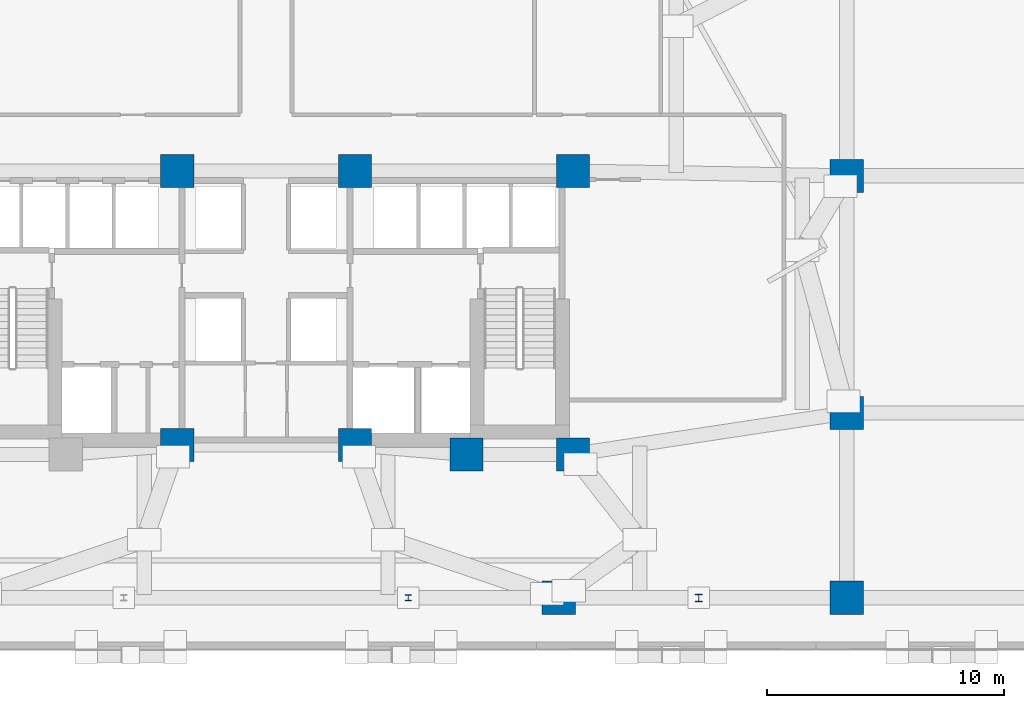
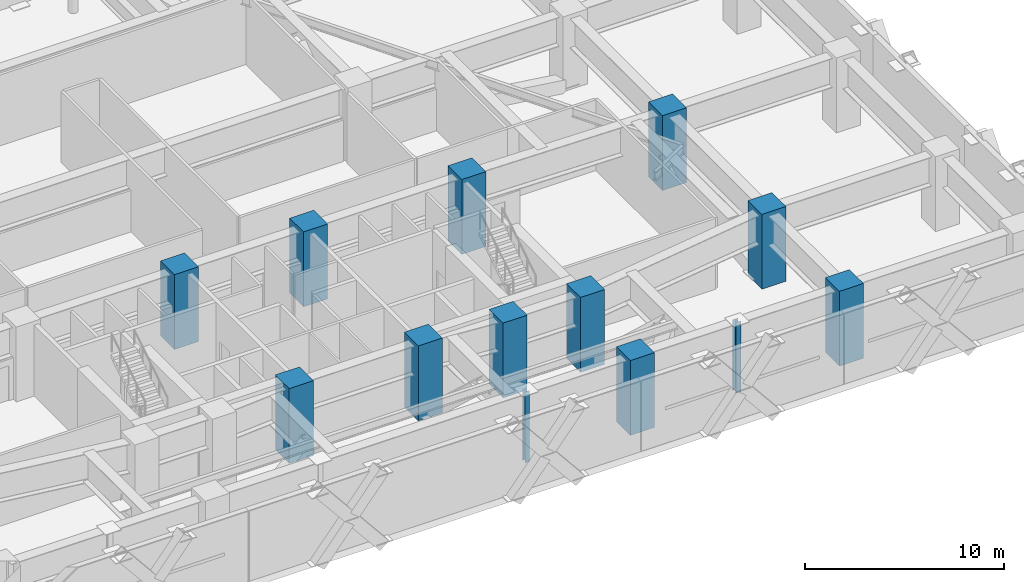
# One storey, part 3 of 14: 13 columns.
"""IFC4 building model written with IfcOpenShell, lengths in metres."""

from ifc_helpers import new_model, si_unit, direction, frame, origin, origin_2d, place, context, subcontext, project, spatial, rectangle, i_section, extrude, material, material_profile, profile_set, type_object, element, save


model = new_model("IFC4")

# Units and contexts
model_context = context("Model", 3, precision=1e-05, world=origin(), true_north=direction((0.0, 1.0)))
body_context = subcontext(model_context, "Body", "Model", "MODEL_VIEW")
ifc_project = project(units=[si_unit("LENGTHUNIT", "METRE"), si_unit("AREAUNIT", "SQUARE_METRE"), si_unit("VOLUMEUNIT", "CUBIC_METRE"), si_unit("PLANEANGLEUNIT", "RADIAN"), si_unit("MASSUNIT", "GRAM", prefix="KILO")], contexts=[model_context])

# Site, building, storey
site_placement = place(None, origin())
site = spatial("IfcSite", under=ifc_project, at=site_placement, CompositionType="ELEMENT")
building_placement = place(site_placement, origin())
building = spatial("IfcBuilding", under=site, at=building_placement, Name="Quenlor Broadcast Tower", CompositionType="ELEMENT")
storey_placement = place(building_placement, frame((0.0, 0.0, 23.0)))
storey = spatial("IfcBuildingStorey", under=building, at=storey_placement, Name="L05", CompositionType="ELEMENT", Elevation=23.0)

# Columns
ifc_material_1 = material(Name="Concrete C65/80", Category="concrete")
ifc_material_profile_1 = material_profile(ifc_material_1, rectangle(XDim=1.39990234375, YDim=1.39990234375, at=origin_2d()))
ifc_profile_set_1 = profile_set([ifc_material_profile_1], Name="Concrete C65/80 RC1400x1400")
column_type_1 = type_object("IfcColumnType", Name="Core Corner Column Lower Concrete C65/80 1400", PredefinedType="COLUMN", material=ifc_profile_set_1)
for number, where, z_axis, x_axis, name in (
    (1, (-3.75, -16.35009765625, 0.0), (0.0, 0.0, 1.0), (1.0, 0.0, 0.0), "L05 Core Column CC3"),
    (2, (3.75, -16.35009765625, 0.0), (0.0, 0.0, 1.0), (1.0, 0.0, 0.0), "L05 Core Column CC4"),
    (3, (8.449951171875, -16.75, 0.0), (0.0, 0.0, 1.0), (1.0, 0.0, 0.0), "L05 Core Column CC5"),
    (4, (12.949951171875, -16.75, 0.0), (0.0, 0.0, 1.0), (1.0, 0.0, 0.0), "L05 Core Column CC6"),
    (5, (-3.75, -4.800048828125, 0.0), (0.0, 0.0, 1.0), (1.0, 0.0, 0.0), "L05 Core Column CC8"),
    (6, (3.75, -4.800048828125, 0.0), (0.0, 0.0, 1.0), (1.0, 0.0, 0.0), "L05 Core Column CC9"),
    (7, (12.949951171875, -4.800048828125, 0.0), (0.0, 0.0, 1.0), (1.0, 0.0, 0.0), "L05 Core Column CC10"),
):
    element("IfcColumn", number, at=place(storey_placement, frame(where, z_axis=z_axis, x_axis=x_axis)), inside=storey, type_object=column_type_1, Name=name, PredefinedType="COLUMN", context=body_context, shape_type="SweptSolid", body=[
        extrude(rectangle(XDim=1.39990234375, YDim=1.39990234375, at=origin_2d()), origin(), (0.0, 0.0, 1.0), 4.60009765625),
    ])
ifc_material_2 = material(Name="Steel S355", Category="steel")
ifc_material_profile_2 = material_profile(ifc_material_2, i_section(OverallWidth=0.30908203125, OverallDepth=0.320556640625, WebThickness=0.013916015625, FlangeThickness=0.021728515625, FilletRadius=0.0166015625, at=origin_2d()))
ifc_profile_set_2 = profile_set([ifc_material_profile_2], Name="Steel S355 310UC137")
column_type_2 = type_object("IfcColumnType", Name="Podium Canopy Post Steel S355 310UC137", PredefinedType="COLUMN", material=ifc_profile_set_2)
column_1_placement = place(storey_placement, frame((18.25, -22.800048828125, 0.0), z_axis=(0.0, 0.0, 1.0), x_axis=(1.0, 0.0, 0.0)))
element("IfcColumn", 8, at=column_1_placement, inside=storey, type_object=column_type_2, Name="L05 Station Steel Column SPE1", PredefinedType="COLUMN", context=body_context, shape_type="SweptSolid", body=[
    extrude(i_section(OverallWidth=0.30908203125, OverallDepth=0.320556640625, WebThickness=0.013916015625, FlangeThickness=0.021728515625, FilletRadius=0.0166015625, at=origin_2d()), origin(), (0.0, 0.0, 1.0), 4.340087890625),
])
ifc_material_3 = material(Name="Steel S355", Category="steel")
ifc_material_profile_3 = material_profile(ifc_material_3, i_section(OverallWidth=0.256103515625, OverallDepth=0.260009765625, WebThickness=0.010498046875, FlangeThickness=0.017333984375, FilletRadius=0.013916015625, at=origin_2d()))
ifc_profile_set_3 = profile_set([ifc_material_profile_3], Name="Steel S355 250UC89.5")
column_type_3 = type_object("IfcColumnType", Name="Podium Gallery Post Steel S355 250UC89.5", PredefinedType="COLUMN", material=ifc_profile_set_3)
column_2_placement = place(storey_placement, frame((6.0, -22.800048828125, 0.0), z_axis=(0.0, 0.0, 1.0), x_axis=(1.0, 0.0, 0.0)))
element("IfcColumn", 9, at=column_2_placement, inside=storey, type_object=column_type_3, Name="L05 Station Steel Column SPE2", PredefinedType="COLUMN", context=body_context, shape_type="SweptSolid", body=[
    extrude(i_section(OverallWidth=0.256103515625, OverallDepth=0.260009765625, WebThickness=0.010498046875, FlangeThickness=0.017333984375, FilletRadius=0.013916015625, at=origin_2d()), origin(), (0.0, 0.0, 1.0), 4.340087890625),
])
ifc_material_4 = material(Name="Concrete C65/80", Category="concrete")
ifc_material_profile_4 = material_profile(ifc_material_4, rectangle(XDim=1.39990234375, YDim=1.39990234375, at=origin_2d()))
ifc_profile_set_4 = profile_set([ifc_material_profile_4], Name="Concrete C65/80 RC1400x1400")
column_type_4 = type_object("IfcColumnType", Name="Podium Mega Column Concrete C65/80 1400", PredefinedType="COLUMN", material=ifc_profile_set_4)
for number, where, z_axis, x_axis, name in (
    (10, (12.35009765625, -22.800048828125, 0.0), (0.0, 0.0, 1.0), (1.0, 0.0, 0.0), "L05 Podium Mega Column PM4"),
    (11, (24.5, -22.800048828125, 0.0), (0.0, 0.0, 1.0), (1.0, 0.0, 0.0), "L05 Podium Mega Column PM5"),
    (12, (24.5, -15.0, 0.0), (0.0, 0.0, 1.0), (1.0, 0.0, 0.0), "L05 Podium Mega Column PM9"),
    (13, (24.5, -5.0, 0.0), (0.0, 0.0, 1.0), (1.0, 0.0, 0.0), "L05 Podium Mega Column PM13"),
):
    element("IfcColumn", number, at=place(storey_placement, frame(where, z_axis=z_axis, x_axis=x_axis)), inside=storey, type_object=column_type_4, Name=name, PredefinedType="COLUMN", context=body_context, shape_type="SweptSolid", body=[
        extrude(rectangle(XDim=1.39990234375, YDim=1.39990234375, at=origin_2d()), origin(), (0.0, 0.0, 1.0), 4.60009765625),
    ])

save(model, "model.ifc")
